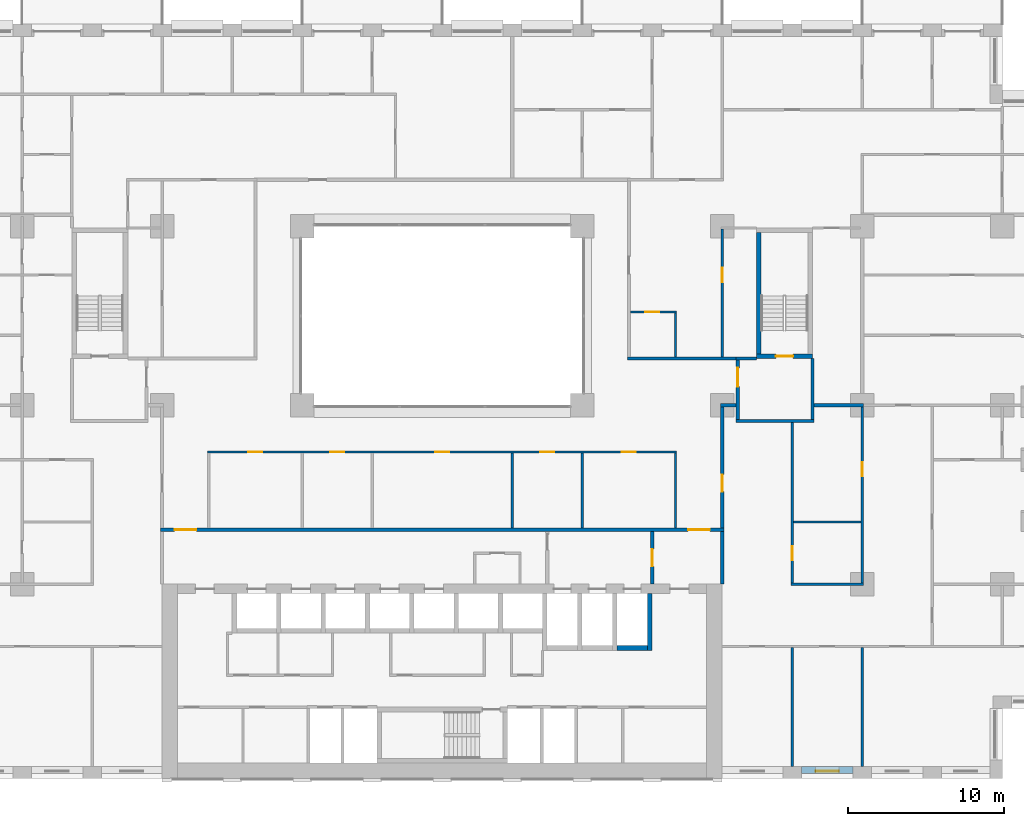
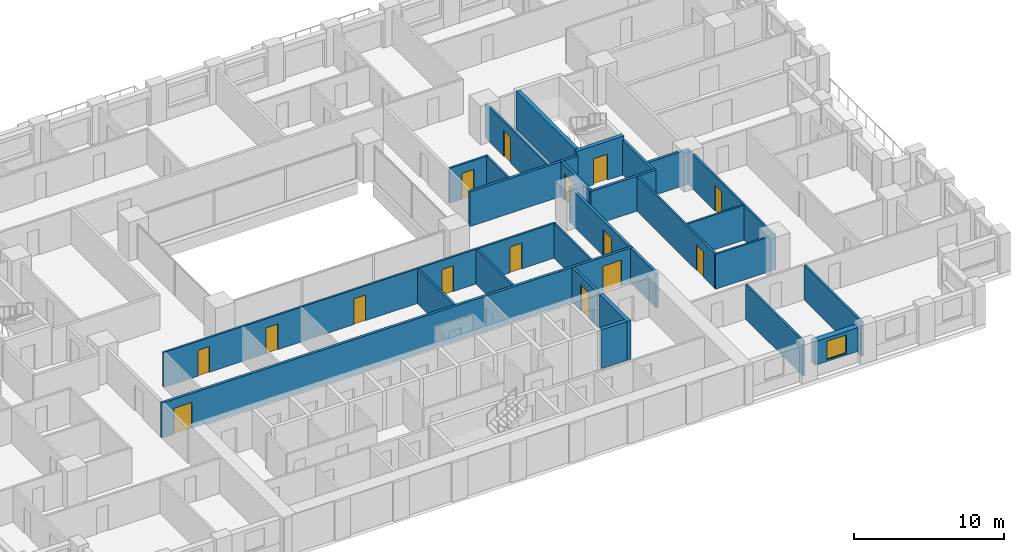
# One storey, part 12 of 20: 29 walls, 15 doors, 1 window, 16 openings.
"""IFC4 building model written with IfcOpenShell, lengths in metres."""

from ifc_helpers import new_model, si_unit, direction, frame, frame_2d, origin, place, context, subcontext, project, spatial, rectangle, extrude, material, layer, layer_set, type_object, element, fill, save


model = new_model("IFC4")

# Units and contexts
model_context = context("Model", 3, precision=1e-05, world=origin(), true_north=direction((0.0, 1.0)))
body_context = subcontext(model_context, "Body", "Model", "MODEL_VIEW")
ifc_project = project(units=[si_unit("LENGTHUNIT", "METRE"), si_unit("AREAUNIT", "SQUARE_METRE"), si_unit("VOLUMEUNIT", "CUBIC_METRE"), si_unit("PLANEANGLEUNIT", "RADIAN"), si_unit("MASSUNIT", "GRAM", prefix="KILO")], contexts=[model_context])

# Site, building, storey
site_placement = place(None, origin())
site = spatial("IfcSite", under=ifc_project, at=site_placement, CompositionType="ELEMENT")
building_placement = place(site_placement, origin())
building = spatial("IfcBuilding", under=site, at=building_placement, Name="Brigalow Station Residences", CompositionType="ELEMENT")
storey_placement = place(building_placement, frame((0.0, 0.0, 44.699951171875)))
storey = spatial("IfcBuildingStorey", under=building, at=storey_placement, Name="L12", CompositionType="ELEMENT", Elevation=44.699951171875)

# Wall, opening, window
ifc_material_1 = material(Name="Clay brick masonry", Category="masonry")
ifc_layer_1 = layer(ifc_material_1, 0.449951171875)
ifc_layer_set_1 = layer_set([ifc_layer_1], Name="BRICK INFILL WALL 450")
wall_type_1 = type_object("IfcWallType", Name="BRICK INFILL WALL 450", PredefinedType="SOLIDWALL", material=ifc_layer_set_1)
wall_1_placement = place(storey_placement, frame((59.10009765625, 0.574951171875, 0.900146484375), z_axis=(0.0, 0.0, 1.0), x_axis=(1.0, 0.0, 0.0)))
wall_1 = element("IfcWall", 1, at=wall_1_placement, inside=storey, type_object=wall_type_1, Name="L12/ewall/W-L12-6", PredefinedType="SOLIDWALL", context=body_context, shape_type="SweptSolid", body=[
    extrude(rectangle(XDim=3.2998046875, YDim=0.449951171875, at=frame_2d((1.64990234375, 0.0))), origin(), (0.0, 0.0, 1.0), 1.929931640625),
])
opening_1_placement = place(wall_1_placement, frame((0.89990234375, 0.0, 0.14990234375)))
opening_1 = element("IfcOpeningElement", 2, at=opening_1_placement, cuts=wall_1, Name="Opening WT-1", PredefinedType="OPENING", context=body_context, shape_type="SweptSolid", body=[
    extrude(rectangle(XDim=1.5, YDim=1.5, at=frame_2d((0.75, 0.75))), frame((0.0, 0.23486328125, 0.0), z_axis=(0.0, -1.0, 0.0), x_axis=(1.0, 0.0, 0.0)), (0.0, 0.0, 1.0), 0.469970703125),
])
ifc_material_2 = material(Name="Anodised aluminium frame with double glazing", Category="aluminium")
window_type = type_object("IfcWindowType", Name="WINDOW 1500x1500", PartitioningType="SINGLE_PANEL", PredefinedType="WINDOW", material=ifc_material_2)
window_placement = place(opening_1_placement, origin())
window = element("IfcWindow", 3, at=window_placement, inside=storey, type_object=window_type, Name="L12/window/W-L12-6", OverallHeight=1.5, OverallWidth=1.5, PartitioningType="SINGLE_PANEL", PredefinedType="WINDOW", context=body_context, shape_type="SweptSolid", body=[
    extrude(rectangle(XDim=1.5, YDim=1.5, at=frame_2d((0.75, 0.75))), frame((0.0, -0.06494140625, 0.0), z_axis=(0.0, -1.0, 0.0), x_axis=(1.0, 0.0, 0.0)), (0.0, 0.0, 1.0), 0.06005859375),
])
fill(opening_1, window)

# Walls
ifc_material_3 = material(Name="Concrete C80", Category="concrete")
ifc_layer_2 = layer(ifc_material_3, 0.300048828125)
ifc_layer_set_2 = layer_set([ifc_layer_2], Name="CORE SHEAR WALL 300 C80")
wall_type_2 = type_object("IfcWallType", Name="CORE SHEAR WALL 300 C80", PredefinedType="SHEAR", material=ifc_layer_set_2)
wall_2_placement = place(storey_placement, frame((47.25, 8.39990234375, 0.0), z_axis=(0.0, 0.0, 1.0), x_axis=(1.0, 0.0, 0.0)))
element("IfcWall", 4, at=wall_2_placement, inside=storey, type_object=wall_type_2, Name="CORE WALL SH-SL1-S L12", PredefinedType="SHEAR", context=body_context, shape_type="SweptSolid", body=[
    extrude(rectangle(XDim=1.949951171875, YDim=0.300048828125, at=frame_2d((0.97509765625, 0.0))), origin(), (0.0, 0.0, 1.0), 3.150146484375),
])
wall_3_placement = place(storey_placement, frame((49.35009765625, 8.25, 0.0), z_axis=(0.0, 0.0, 1.0), x_axis=(0.0, 1.0, 0.0)))
element("IfcWall", 5, at=wall_3_placement, inside=storey, type_object=wall_type_2, Name="CORE WALL SH-SL1-E L12", PredefinedType="SHEAR", context=body_context, shape_type="SweptSolid", body=[
    extrude(rectangle(XDim=3.64990234375, YDim=0.300048828125, at=frame_2d((1.824951171875, 0.0))), origin(), (0.0, 0.0, 1.0), 3.150146484375),
])

# Wall, opening, door
wall_4_placement = place(storey_placement, frame((56.199951171875, 27.14990234375, 0.0), z_axis=(0.0, 0.0, 1.0), x_axis=(1.0, 0.0, 0.0)))
wall_4 = element("IfcWall", 6, at=wall_4_placement, inside=storey, type_object=wall_type_2, Name="CORE WALL ST-S3-S L12", PredefinedType="SHEAR", context=body_context, shape_type="SweptSolid", body=[
    extrude(rectangle(XDim=3.60009765625, YDim=0.300048828125, at=frame_2d((1.800048828125, 0.0))), origin(), (0.0, 0.0, 1.0), 3.150146484375),
])
opening_2_placement = place(wall_4_placement, frame((1.25, 0.0, 0.0)))
opening_2 = element("IfcOpeningElement", 7, at=opening_2_placement, cuts=wall_4, Name="Opening D-5018", PredefinedType="OPENING", context=body_context, shape_type="SweptSolid", body=[
    extrude(rectangle(XDim=1.10009765625, YDim=2.10009765625, at=frame_2d((0.550048828125, 1.050048828125))), frame((0.0, 0.16015625, 0.0), z_axis=(0.0, -1.0, 0.0), x_axis=(1.0, 0.0, 0.0)), (0.0, 0.0, 1.0), 0.320068359375),
])
ifc_material_4 = material(Name="Steel fire door leaf in steel frame", Category="steel")
door_type_1 = type_object("IfcDoorType", Name="STAIR DOOR 1100 x 2100 FD60S", OperationType="SINGLE_SWING_LEFT", PredefinedType="DOOR", material=ifc_material_4)
door_1_placement = place(opening_2_placement, origin())
door_1 = element("IfcDoor", 8, at=door_1_placement, inside=storey, type_object=door_type_1, Name="D-5018", OperationType="SINGLE_SWING_LEFT", OverallHeight=2.10009765625, OverallWidth=1.10009765625, PredefinedType="DOOR", context=body_context, shape_type="SweptSolid", body=[
    extrude(rectangle(XDim=1.10009765625, YDim=2.10009765625, at=frame_2d((0.550048828125, 1.050048828125))), frame((0.0, 0.02490234375, 0.0), z_axis=(0.0, -1.0, 0.0), x_axis=(1.0, 0.0, 0.0)), (0.0, 0.0, 1.0), 0.050048828125),
])
fill(opening_2, door_1)

# Walls
wall_5_placement = place(storey_placement, frame((56.35009765625, 27.300048828125, 0.0), z_axis=(0.0, 0.0, 1.0), x_axis=(0.0, 1.0, 0.0)))
element("IfcWall", 9, at=wall_5_placement, inside=storey, type_object=wall_type_2, Name="CORE WALL ST-S3-W L12", PredefinedType="SHEAR", context=body_context, shape_type="SweptSolid", body=[
    extrude(rectangle(XDim=7.800048828125, YDim=0.300048828125, at=frame_2d((3.89990234375, 0.0))), origin(), (0.0, 0.0, 1.0), 3.150146484375),
])
ifc_material_5 = material(Name="Concrete blockwork", Category="masonry")
ifc_layer_3 = layer(ifc_material_5, 0.199951171875)
ifc_layer_set_3 = layer_set([ifc_layer_3], Name="FIRE RATED CORE PARTITION 200")
wall_type_3 = type_object("IfcWallType", Name="FIRE RATED CORE PARTITION 200", PredefinedType="PARTITIONING", material=ifc_layer_set_3)
wall_6_placement = place(storey_placement, frame((54.89990234375, 23.0, 0.0), z_axis=(0.0, 0.0, 1.0), x_axis=(1.0, 0.0, 0.0)))
element("IfcWall", 10, at=wall_6_placement, inside=storey, type_object=wall_type_3, Name="PW-5024", PredefinedType="PARTITIONING", context=body_context, shape_type="SweptSolid", body=[
    extrude(rectangle(XDim=5.0, YDim=0.199951171875, at=frame_2d((2.5, 0.0))), origin(), (0.0, 0.0, 1.0), 2.830078125),
])
wall_7_placement = place(storey_placement, frame((54.89990234375, 27.0, 0.0), z_axis=(0.0, 0.0, 1.0), x_axis=(1.0, 0.0, 0.0)))
element("IfcWall", 11, at=wall_7_placement, inside=storey, type_object=wall_type_3, Name="PW-5026", PredefinedType="PARTITIONING", context=body_context, shape_type="SweptSolid", body=[
    extrude(rectangle(XDim=1.300048828125, YDim=0.199951171875, at=frame_2d((0.64990234375, 0.0))), origin(), (0.0, 0.0, 1.0), 2.830078125),
])

# Wall, opening, door
wall_8_placement = place(storey_placement, frame((49.5, 12.5, 0.0), z_axis=(0.0, 0.0, 1.0), x_axis=(0.0, 1.0, 0.0)))
wall_8 = element("IfcWall", 12, at=wall_8_placement, inside=storey, type_object=wall_type_3, Name="PW-5015", PredefinedType="PARTITIONING", context=body_context, shape_type="SweptSolid", body=[
    extrude(rectangle(XDim=3.39990234375, YDim=0.199951171875, at=frame_2d((1.699951171875, 0.0))), origin(), (0.0, 0.0, 1.0), 2.830078125),
])
opening_3_placement = place(wall_8_placement, frame((1.14990234375, 0.0, 0.0)))
opening_3 = element("IfcOpeningElement", 13, at=opening_3_placement, cuts=wall_8, Name="Opening D-5014", PredefinedType="OPENING", context=body_context, shape_type="SweptSolid", body=[
    extrude(rectangle(XDim=1.10009765625, YDim=2.10009765625, at=frame_2d((0.550048828125, 1.050048828125))), frame((0.0, 0.10986328125, 0.0), z_axis=(0.0, -1.0, 0.0), x_axis=(1.0, 0.0, 0.0)), (0.0, 0.0, 1.0), 0.219970703125),
])
ifc_material_6 = material(Name="Steel fire door leaf in steel frame", Category="steel")
door_type_2 = type_object("IfcDoorType", Name="LOBBY DOOR 1100 x 2100 FD60S", OperationType="SINGLE_SWING_LEFT", PredefinedType="DOOR", material=ifc_material_6)
door_2_placement = place(opening_3_placement, origin())
door_2 = element("IfcDoor", 14, at=door_2_placement, inside=storey, type_object=door_type_2, Name="D-5014", OperationType="SINGLE_SWING_LEFT", OverallHeight=2.10009765625, OverallWidth=1.10009765625, PredefinedType="DOOR", context=body_context, shape_type="SweptSolid", body=[
    extrude(rectangle(XDim=1.10009765625, YDim=2.10009765625, at=frame_2d((0.550048828125, 1.050048828125))), frame((0.0, 0.02490234375, 0.0), z_axis=(0.0, -1.0, 0.0), x_axis=(1.0, 0.0, 0.0)), (0.0, 0.0, 1.0), 0.050048828125),
])
fill(opening_3, door_2)

# Wall
wall_9_placement = place(storey_placement, frame((54.0, 12.5, 0.0), z_axis=(0.0, 0.0, 1.0), x_axis=(0.0, 1.0, 0.0)))
element("IfcWall", 15, at=wall_9_placement, inside=storey, type_object=wall_type_3, Name="PW-5016", PredefinedType="PARTITIONING", context=body_context, shape_type="SweptSolid", body=[
    extrude(rectangle(XDim=3.39990234375, YDim=0.199951171875, at=frame_2d((1.699951171875, 0.0))), origin(), (0.0, 0.0, 1.0), 2.830078125),
])

# Wall, opening, door
wall_10_placement = place(storey_placement, frame((55.0, 23.10009765625, 0.0), z_axis=(0.0, 0.0, 1.0), x_axis=(0.0, 1.0, 0.0)))
wall_10 = element("IfcWall", 16, at=wall_10_placement, inside=storey, type_object=wall_type_3, Name="PW-5036", PredefinedType="PARTITIONING", context=body_context, shape_type="SweptSolid", body=[
    extrude(rectangle(XDim=3.7998046875, YDim=0.199951171875, at=frame_2d((1.89990234375, 0.0))), origin(), (0.0, 0.0, 1.0), 2.830078125),
])
opening_4_placement = place(wall_10_placement, frame((2.10009765625, 0.0, 0.0)))
opening_4 = element("IfcOpeningElement", 17, at=opening_4_placement, cuts=wall_10, Name="Opening D-5019", PredefinedType="OPENING", context=body_context, shape_type="SweptSolid", body=[
    extrude(rectangle(XDim=1.199951171875, YDim=2.10009765625, at=frame_2d((0.60009765625, 1.050048828125))), frame((0.0, 0.10986328125, 0.0), z_axis=(0.0, -1.0, 0.0), x_axis=(1.0, 0.0, 0.0)), (0.0, 0.0, 1.0), 0.219970703125),
])
ifc_material_7 = material(Name="Steel fire door leaf in steel frame", Category="steel")
door_type_3 = type_object("IfcDoorType", Name="STAIR LOBBY DOOR 1200 x 2100 FD60S", OperationType="SINGLE_SWING_LEFT", PredefinedType="DOOR", material=ifc_material_7)
door_3_placement = place(opening_4_placement, frame((1.199951171875, 0.0, 0.0), z_axis=(0.0, 0.0, 1.0), x_axis=(-1.0, 0.0, 0.0)))
door_3 = element("IfcDoor", 18, at=door_3_placement, inside=storey, type_object=door_type_3, Name="D-5019", OperationType="SINGLE_SWING_LEFT", OverallHeight=2.10009765625, OverallWidth=1.199951171875, PredefinedType="DOOR", context=body_context, shape_type="SweptSolid", body=[
    extrude(rectangle(XDim=1.199951171875, YDim=2.10009765625, at=frame_2d((0.60009765625, 1.050048828125))), frame((0.0, 0.02490234375, 0.0), z_axis=(0.0, -1.0, 0.0), x_axis=(1.0, 0.0, 0.0)), (0.0, 0.0, 1.0), 0.050048828125),
])
fill(opening_4, door_3)

# Wall
wall_11_placement = place(storey_placement, frame((59.800048828125, 23.10009765625, 0.0), z_axis=(0.0, 0.0, 1.0), x_axis=(0.0, 1.0, 0.0)))
element("IfcWall", 19, at=wall_11_placement, inside=storey, type_object=wall_type_3, Name="PW-5037", PredefinedType="PARTITIONING", context=body_context, shape_type="SweptSolid", body=[
    extrude(rectangle(XDim=3.89990234375, YDim=0.199951171875, at=frame_2d((1.949951171875, 0.0))), origin(), (0.0, 0.0, 1.0), 2.830078125),
])

# Wall, openings, doors
ifc_material_8 = material(Name="Plasterboard on steel stud partition", Category="steel")
ifc_layer_4 = layer(ifc_material_8, 0.14990234375)
ifc_layer_set_4 = layer_set([ifc_layer_4], Name="FLAT PARTITION 150")
wall_type_4 = type_object("IfcWallType", Name="FLAT PARTITION 150", PredefinedType="PARTITIONING", material=ifc_layer_set_4)
wall_12_placement = place(storey_placement, frame((20.925048828125, 21.0, 0.0), z_axis=(0.0, 0.0, 1.0), x_axis=(1.0, 0.0, 0.0)))
wall_12 = element("IfcWall", 20, at=wall_12_placement, inside=storey, type_object=wall_type_4, Name="PW-1C01", PredefinedType="PARTITIONING", context=body_context, shape_type="SweptSolid", body=[
    extrude(rectangle(XDim=30.14990234375, YDim=0.14990234375, at=frame_2d((15.074951171875, 0.0))), origin(), (0.0, 0.0, 1.0), 2.830078125),
])
opening_5_placement = place(wall_12_placement, frame((2.625, 0.0, 0.0)))
opening_5 = element("IfcOpeningElement", 21, at=opening_5_placement, cuts=wall_12, Name="Opening D-1C64", PredefinedType="OPENING", context=body_context, shape_type="SweptSolid", body=[
    extrude(rectangle(XDim=0.89990234375, YDim=2.10009765625, at=frame_2d((0.449951171875, 1.050048828125))), frame((0.0, 0.0849609375, 0.0), z_axis=(0.0, -1.0, 0.0), x_axis=(1.0, 0.0, 0.0)), (0.0, 0.0, 1.0), 0.169921875),
])
opening_6_placement = place(wall_12_placement, frame((7.875, 0.0, 0.0)))
opening_6 = element("IfcOpeningElement", 22, at=opening_6_placement, cuts=wall_12, Name="Opening D-1C65", PredefinedType="OPENING", context=body_context, shape_type="SweptSolid", body=[
    extrude(rectangle(XDim=0.89990234375, YDim=2.10009765625, at=frame_2d((0.449951171875, 1.050048828125))), frame((0.0, 0.0849609375, 0.0), z_axis=(0.0, -1.0, 0.0), x_axis=(1.0, 0.0, 0.0)), (0.0, 0.0, 1.0), 0.169921875),
])
opening_7_placement = place(wall_12_placement, frame((14.625, 0.0, 0.0)))
opening_7 = element("IfcOpeningElement", 23, at=opening_7_placement, cuts=wall_12, Name="Opening D-1C66", PredefinedType="OPENING", context=body_context, shape_type="SweptSolid", body=[
    extrude(rectangle(XDim=0.89990234375, YDim=2.10009765625, at=frame_2d((0.449951171875, 1.050048828125))), frame((0.0, 0.0849609375, 0.0), z_axis=(0.0, -1.0, 0.0), x_axis=(1.0, 0.0, 0.0)), (0.0, 0.0, 1.0), 0.169921875),
])
opening_8_placement = place(wall_12_placement, frame((21.375, 0.0, 0.0)))
opening_8 = element("IfcOpeningElement", 24, at=opening_8_placement, cuts=wall_12, Name="Opening D-1C67", PredefinedType="OPENING", context=body_context, shape_type="SweptSolid", body=[
    extrude(rectangle(XDim=0.89990234375, YDim=2.10009765625, at=frame_2d((0.449951171875, 1.050048828125))), frame((0.0, 0.0849609375, 0.0), z_axis=(0.0, -1.0, 0.0), x_axis=(1.0, 0.0, 0.0)), (0.0, 0.0, 1.0), 0.169921875),
])
opening_9_placement = place(wall_12_placement, frame((26.625, 0.0, 0.0)))
opening_9 = element("IfcOpeningElement", 25, at=opening_9_placement, cuts=wall_12, Name="Opening D-1C68", PredefinedType="OPENING", context=body_context, shape_type="SweptSolid", body=[
    extrude(rectangle(XDim=0.89990234375, YDim=2.10009765625, at=frame_2d((0.449951171875, 1.050048828125))), frame((0.0, 0.0849609375, 0.0), z_axis=(0.0, -1.0, 0.0), x_axis=(1.0, 0.0, 0.0)), (0.0, 0.0, 1.0), 0.169921875),
])
ifc_material_9 = material(Name="Solid-core timber door leaf", Category="wood")
door_type_4 = type_object("IfcDoorType", Name="INTERNAL DOOR 900 x 2100", OperationType="SINGLE_SWING_LEFT", PredefinedType="DOOR", material=ifc_material_9)
door_4_placement = place(opening_5_placement, frame((0.89990234375, 0.0, 0.0), z_axis=(0.0, 0.0, 1.0), x_axis=(-1.0, 0.0, 0.0)))
door_4 = element("IfcDoor", 26, at=door_4_placement, inside=storey, type_object=door_type_4, Name="D-1C64", OperationType="SINGLE_SWING_LEFT", OverallHeight=2.10009765625, OverallWidth=0.89990234375, PredefinedType="DOOR", context=body_context, shape_type="SweptSolid", body=[
    extrude(rectangle(XDim=0.89990234375, YDim=2.10009765625, at=frame_2d((0.449951171875, 1.050048828125))), frame((0.0, 0.02490234375, 0.0), z_axis=(0.0, -1.0, 0.0), x_axis=(1.0, 0.0, 0.0)), (0.0, 0.0, 1.0), 0.050048828125),
])
fill(opening_5, door_4)
door_5_placement = place(opening_6_placement, frame((0.89990234375, 0.0, 0.0), z_axis=(0.0, 0.0, 1.0), x_axis=(-1.0, 0.0, 0.0)))
door_5 = element("IfcDoor", 27, at=door_5_placement, inside=storey, type_object=door_type_4, Name="D-1C65", OperationType="SINGLE_SWING_RIGHT", OverallHeight=2.10009765625, OverallWidth=0.89990234375, PredefinedType="DOOR", context=body_context, shape_type="SweptSolid", body=[
    extrude(rectangle(XDim=0.89990234375, YDim=2.10009765625, at=frame_2d((0.449951171875, 1.050048828125))), frame((0.0, 0.02490234375, 0.0), z_axis=(0.0, -1.0, 0.0), x_axis=(1.0, 0.0, 0.0)), (0.0, 0.0, 1.0), 0.050048828125),
])
fill(opening_6, door_5)
door_6_placement = place(opening_7_placement, frame((0.89990234375, 0.0, 0.0), z_axis=(0.0, 0.0, 1.0), x_axis=(-1.0, 0.0, 0.0)))
door_6 = element("IfcDoor", 28, at=door_6_placement, inside=storey, type_object=door_type_4, Name="D-1C66", OperationType="SINGLE_SWING_LEFT", OverallHeight=2.10009765625, OverallWidth=0.89990234375, PredefinedType="DOOR", context=body_context, shape_type="SweptSolid", body=[
    extrude(rectangle(XDim=0.89990234375, YDim=2.10009765625, at=frame_2d((0.449951171875, 1.050048828125))), frame((0.0, 0.02490234375, 0.0), z_axis=(0.0, -1.0, 0.0), x_axis=(1.0, 0.0, 0.0)), (0.0, 0.0, 1.0), 0.050048828125),
])
fill(opening_7, door_6)
door_7_placement = place(opening_8_placement, frame((0.89990234375, 0.0, 0.0), z_axis=(0.0, 0.0, 1.0), x_axis=(-1.0, 0.0, 0.0)))
door_7 = element("IfcDoor", 29, at=door_7_placement, inside=storey, type_object=door_type_4, Name="D-1C67", OperationType="SINGLE_SWING_LEFT", OverallHeight=2.10009765625, OverallWidth=0.89990234375, PredefinedType="DOOR", context=body_context, shape_type="SweptSolid", body=[
    extrude(rectangle(XDim=0.89990234375, YDim=2.10009765625, at=frame_2d((0.449951171875, 1.050048828125))), frame((0.0, 0.02490234375, 0.0), z_axis=(0.0, -1.0, 0.0), x_axis=(1.0, 0.0, 0.0)), (0.0, 0.0, 1.0), 0.050048828125),
])
fill(opening_8, door_7)
door_8_placement = place(opening_9_placement, frame((0.89990234375, 0.0, 0.0), z_axis=(0.0, 0.0, 1.0), x_axis=(-1.0, 0.0, 0.0)))
door_8 = element("IfcDoor", 30, at=door_8_placement, inside=storey, type_object=door_type_4, Name="D-1C68", OperationType="SINGLE_SWING_LEFT", OverallHeight=2.10009765625, OverallWidth=0.89990234375, PredefinedType="DOOR", context=body_context, shape_type="SweptSolid", body=[
    extrude(rectangle(XDim=0.89990234375, YDim=2.10009765625, at=frame_2d((0.449951171875, 1.050048828125))), frame((0.0, 0.02490234375, 0.0), z_axis=(0.0, -1.0, 0.0), x_axis=(1.0, 0.0, 0.0)), (0.0, 0.0, 1.0), 0.050048828125),
])
fill(opening_9, door_8)

# Walls
wall_13_placement = place(storey_placement, frame((58.425048828125, 12.5, 0.0), z_axis=(0.0, 0.0, 1.0), x_axis=(1.0, 0.0, 0.0)))
element("IfcWall", 31, at=wall_13_placement, inside=storey, type_object=wall_type_4, Name="PW-1C15", PredefinedType="PARTITIONING", context=body_context, shape_type="SweptSolid", body=[
    extrude(rectangle(XDim=4.64990234375, YDim=0.14990234375, at=frame_2d((2.324951171875, 0.0))), origin(), (0.0, 0.0, 1.0), 2.830078125),
])
wall_14_placement = place(storey_placement, frame((58.574951171875, 16.5, 0.0), z_axis=(0.0, 0.0, 1.0), x_axis=(1.0, 0.0, 0.0)))
element("IfcWall", 32, at=wall_14_placement, inside=storey, type_object=wall_type_4, Name="PW-1C22", PredefinedType="PARTITIONING", context=body_context, shape_type="SweptSolid", body=[
    extrude(rectangle(XDim=4.35009765625, YDim=0.14990234375, at=frame_2d((2.175048828125, 0.0))), origin(), (0.0, 0.0, 1.0), 2.830078125),
])

# Wall, opening, door
wall_15_placement = place(storey_placement, frame((48.10009765625, 30.0, 0.0), z_axis=(0.0, 0.0, 1.0), x_axis=(1.0, 0.0, 0.0)))
wall_15 = element("IfcWall", 33, at=wall_15_placement, inside=storey, type_object=wall_type_4, Name="PW-1C34", PredefinedType="PARTITIONING", context=body_context, shape_type="SweptSolid", body=[
    extrude(rectangle(XDim=2.974853515625, YDim=0.14990234375, at=frame_2d((1.4873046875, 0.0))), origin(), (0.0, 0.0, 1.0), 2.830078125),
])
opening_10_placement = place(wall_15_placement, frame((0.949951171875, 0.0, 0.0)))
opening_10 = element("IfcOpeningElement", 34, at=opening_10_placement, cuts=wall_15, Name="Opening D-1C43", PredefinedType="OPENING", context=body_context, shape_type="SweptSolid", body=[
    extrude(rectangle(XDim=0.89990234375, YDim=2.10009765625, at=frame_2d((0.449951171875, 1.050048828125))), frame((0.0, 0.0849609375, 0.0), z_axis=(0.0, -1.0, 0.0), x_axis=(1.0, 0.0, 0.0)), (0.0, 0.0, 1.0), 0.169921875),
])
door_9_placement = place(opening_10_placement, frame((0.89990234375, 0.0, 0.0), z_axis=(0.0, 0.0, 1.0), x_axis=(-1.0, 0.0, 0.0)))
door_9 = element("IfcDoor", 35, at=door_9_placement, inside=storey, type_object=door_type_4, Name="D-1C43", OperationType="SINGLE_SWING_RIGHT", OverallHeight=2.10009765625, OverallWidth=0.89990234375, PredefinedType="DOOR", context=body_context, shape_type="SweptSolid", body=[
    extrude(rectangle(XDim=0.89990234375, YDim=2.10009765625, at=frame_2d((0.449951171875, 1.050048828125))), frame((0.0, 0.02490234375, 0.0), z_axis=(0.0, -1.0, 0.0), x_axis=(1.0, 0.0, 0.0)), (0.0, 0.0, 1.0), 0.050048828125),
])
fill(opening_10, door_9)

wall_16_placement = place(storey_placement, frame((54.0, 27.10009765625, 0.0), z_axis=(0.0, 0.0, 1.0), x_axis=(0.0, 1.0, 0.0)))
wall_16 = element("IfcWall", 36, at=wall_16_placement, inside=storey, type_object=wall_type_4, Name="PW-1C41", PredefinedType="PARTITIONING", context=body_context, shape_type="SweptSolid", body=[
    extrude(rectangle(XDim=8.224853515625, YDim=0.14990234375, at=frame_2d((4.1123046875, 0.0))), origin(), (0.0, 0.0, 1.0), 2.830078125),
])
opening_11_placement = place(wall_16_placement, frame((4.824951171875, 0.0, 0.0)))
opening_11 = element("IfcOpeningElement", 37, at=opening_11_placement, cuts=wall_16, Name="Opening D-1C45", PredefinedType="OPENING", context=body_context, shape_type="SweptSolid", body=[
    extrude(rectangle(XDim=0.89990234375, YDim=2.10009765625, at=frame_2d((0.449951171875, 1.050048828125))), frame((0.0, 0.0849609375, 0.0), z_axis=(0.0, -1.0, 0.0), x_axis=(1.0, 0.0, 0.0)), (0.0, 0.0, 1.0), 0.169921875),
])
door_10_placement = place(opening_11_placement, frame((0.89990234375, 0.0, 0.0), z_axis=(0.0, 0.0, 1.0), x_axis=(-1.0, 0.0, 0.0)))
door_10 = element("IfcDoor", 38, at=door_10_placement, inside=storey, type_object=door_type_4, Name="D-1C45", OperationType="SINGLE_SWING_LEFT", OverallHeight=2.10009765625, OverallWidth=0.89990234375, PredefinedType="DOOR", context=body_context, shape_type="SweptSolid", body=[
    extrude(rectangle(XDim=0.89990234375, YDim=2.10009765625, at=frame_2d((0.449951171875, 1.050048828125))), frame((0.0, 0.02490234375, 0.0), z_axis=(0.0, -1.0, 0.0), x_axis=(1.0, 0.0, 0.0)), (0.0, 0.0, 1.0), 0.050048828125),
])
fill(opening_11, door_10)

# Walls
wall_17_placement = place(storey_placement, frame((51.0, 16.10009765625, 0.0), z_axis=(0.0, 0.0, 1.0), x_axis=(0.0, 1.0, 0.0)))
element("IfcWall", 39, at=wall_17_placement, inside=storey, type_object=wall_type_4, Name="PW-1C45", PredefinedType="PARTITIONING", context=body_context, shape_type="SweptSolid", body=[
    extrude(rectangle(XDim=4.824951171875, YDim=0.14990234375, at=frame_2d((2.41259765625, 0.0))), origin(), (0.0, 0.0, 1.0), 2.830078125),
])
wall_18_placement = place(storey_placement, frame((51.0, 27.10009765625, 0.0), z_axis=(0.0, 0.0, 1.0), x_axis=(0.0, 1.0, 0.0)))
element("IfcWall", 40, at=wall_18_placement, inside=storey, type_object=wall_type_4, Name="PW-1C46", PredefinedType="PARTITIONING", context=body_context, shape_type="SweptSolid", body=[
    extrude(rectangle(XDim=2.824951171875, YDim=0.14990234375, at=frame_2d((1.41259765625, 0.0))), origin(), (0.0, 0.0, 1.0), 2.830078125),
])
wall_19_placement = place(storey_placement, frame((40.5, 16.10009765625, 0.0), z_axis=(0.0, 0.0, 1.0), x_axis=(0.0, 1.0, 0.0)))
element("IfcWall", 41, at=wall_19_placement, inside=storey, type_object=wall_type_4, Name="PW-1C67", PredefinedType="PARTITIONING", context=body_context, shape_type="SweptSolid", body=[
    extrude(rectangle(XDim=4.824951171875, YDim=0.14990234375, at=frame_2d((2.41259765625, 0.0))), origin(), (0.0, 0.0, 1.0), 2.830078125),
])
wall_20_placement = place(storey_placement, frame((63.0, 0.800048828125, 0.0), z_axis=(0.0, 0.0, 1.0), x_axis=(0.0, 1.0, 0.0)))
element("IfcWall", 42, at=wall_20_placement, inside=storey, type_object=wall_type_4, Name="PW-1C69", PredefinedType="PARTITIONING", context=body_context, shape_type="SweptSolid", body=[
    extrude(rectangle(XDim=7.625, YDim=0.14990234375, at=frame_2d((3.8125, 0.0))), origin(), (0.0, 0.0, 1.0), 2.830078125),
])

# Wall, opening, door
wall_21_placement = place(storey_placement, frame((63.0, 12.574951171875, 0.0), z_axis=(0.0, 0.0, 1.0), x_axis=(0.0, 1.0, 0.0)))
wall_21 = element("IfcWall", 43, at=wall_21_placement, inside=storey, type_object=wall_type_4, Name="PW-1C70", PredefinedType="PARTITIONING", context=body_context, shape_type="SweptSolid", body=[
    extrude(rectangle(XDim=11.35009765625, YDim=0.14990234375, at=frame_2d((5.675048828125, 0.0))), origin(), (0.0, 0.0, 1.0), 2.830078125),
])
opening_12_placement = place(wall_21_placement, frame((6.85009765625, 0.0, 0.0)))
opening_12 = element("IfcOpeningElement", 44, at=opening_12_placement, cuts=wall_21, Name="Opening D-1C61", PredefinedType="OPENING", context=body_context, shape_type="SweptSolid", body=[
    extrude(rectangle(XDim=0.89990234375, YDim=2.10009765625, at=frame_2d((0.449951171875, 1.050048828125))), frame((0.0, 0.0849609375, 0.0), z_axis=(0.0, -1.0, 0.0), x_axis=(1.0, 0.0, 0.0)), (0.0, 0.0, 1.0), 0.169921875),
])
door_11_placement = place(opening_12_placement, origin())
door_11 = element("IfcDoor", 45, at=door_11_placement, inside=storey, type_object=door_type_4, Name="D-1C61", OperationType="SINGLE_SWING_LEFT", OverallHeight=2.10009765625, OverallWidth=0.89990234375, PredefinedType="DOOR", context=body_context, shape_type="SweptSolid", body=[
    extrude(rectangle(XDim=0.89990234375, YDim=2.10009765625, at=frame_2d((0.449951171875, 1.050048828125))), frame((0.0, 0.02490234375, 0.0), z_axis=(0.0, -1.0, 0.0), x_axis=(1.0, 0.0, 0.0)), (0.0, 0.0, 1.0), 0.050048828125),
])
fill(opening_12, door_11)

# Walls
wall_22_placement = place(storey_placement, frame((45.0, 16.10009765625, 0.0), z_axis=(0.0, 0.0, 1.0), x_axis=(0.0, 1.0, 0.0)))
element("IfcWall", 46, at=wall_22_placement, inside=storey, type_object=wall_type_4, Name="PW-1C81", PredefinedType="PARTITIONING", context=body_context, shape_type="SweptSolid", body=[
    extrude(rectangle(XDim=4.824951171875, YDim=0.14990234375, at=frame_2d((2.41259765625, 0.0))), origin(), (0.0, 0.0, 1.0), 2.830078125),
])
wall_23_placement = place(storey_placement, frame((58.5, 0.800048828125, 0.0), z_axis=(0.0, 0.0, 1.0), x_axis=(0.0, 1.0, 0.0)))
element("IfcWall", 47, at=wall_23_placement, inside=storey, type_object=wall_type_4, Name="PW-1C83", PredefinedType="PARTITIONING", context=body_context, shape_type="SweptSolid", body=[
    extrude(rectangle(XDim=7.625, YDim=0.14990234375, at=frame_2d((3.8125, 0.0))), origin(), (0.0, 0.0, 1.0), 2.830078125),
])

# Wall, opening, door
wall_24_placement = place(storey_placement, frame((58.5, 12.574951171875, 0.0), z_axis=(0.0, 0.0, 1.0), x_axis=(0.0, 1.0, 0.0)))
wall_24 = element("IfcWall", 48, at=wall_24_placement, inside=storey, type_object=wall_type_4, Name="PW-1C84", PredefinedType="PARTITIONING", context=body_context, shape_type="SweptSolid", body=[
    extrude(rectangle(XDim=10.324951171875, YDim=0.14990234375, at=frame_2d((5.16259765625, 0.0))), origin(), (0.0, 0.0, 1.0), 2.830078125),
])
opening_13_placement = place(wall_24_placement, frame((1.47509765625, 0.0, 0.0)))
opening_13 = element("IfcOpeningElement", 49, at=opening_13_placement, cuts=wall_24, Name="Opening D-1C50", PredefinedType="OPENING", context=body_context, shape_type="SweptSolid", body=[
    extrude(rectangle(XDim=0.89990234375, YDim=2.10009765625, at=frame_2d((0.449951171875, 1.050048828125))), frame((0.0, 0.0849609375, 0.0), z_axis=(0.0, -1.0, 0.0), x_axis=(1.0, 0.0, 0.0)), (0.0, 0.0, 1.0), 0.169921875),
])
door_12_placement = place(opening_13_placement, frame((0.89990234375, 0.0, 0.0), z_axis=(0.0, 0.0, 1.0), x_axis=(-1.0, 0.0, 0.0)))
door_12 = element("IfcDoor", 50, at=door_12_placement, inside=storey, type_object=door_type_4, Name="D-1C50", OperationType="SINGLE_SWING_RIGHT", OverallHeight=2.10009765625, OverallWidth=0.89990234375, PredefinedType="DOOR", context=body_context, shape_type="SweptSolid", body=[
    extrude(rectangle(XDim=0.89990234375, YDim=2.10009765625, at=frame_2d((0.449951171875, 1.050048828125))), frame((0.0, 0.02490234375, 0.0), z_axis=(0.0, -1.0, 0.0), x_axis=(1.0, 0.0, 0.0)), (0.0, 0.0, 1.0), 0.050048828125),
])
fill(opening_13, door_12)

# Walls
ifc_material_10 = material(Name="Plasterboard on steel stud partition", Category="steel")
ifc_layer_5 = layer(ifc_material_10, 0.199951171875)
ifc_layer_set_5 = layer_set([ifc_layer_5], Name="PARTY AND CORRIDOR WALL 200")
wall_type_5 = type_object("IfcWallType", Name="PARTY AND CORRIDOR WALL 200", PredefinedType="PARTITIONING", material=ifc_layer_set_5)
wall_25_placement = place(storey_placement, frame((53.89990234375, 24.0, 0.0), z_axis=(0.0, 0.0, 1.0), x_axis=(1.0, 0.0, 0.0)))
element("IfcWall", 51, at=wall_25_placement, inside=storey, type_object=wall_type_5, Name="PW-1C05", PredefinedType="PARTITIONING", context=body_context, shape_type="SweptSolid", body=[
    extrude(rectangle(XDim=1.0, YDim=0.199951171875, at=frame_2d((0.5, 0.0))), origin(), (0.0, 0.0, 1.0), 2.830078125),
])
wall_26_placement = place(storey_placement, frame((59.89990234375, 24.0, 0.0), z_axis=(0.0, 0.0, 1.0), x_axis=(1.0, 0.0, 0.0)))
element("IfcWall", 52, at=wall_26_placement, inside=storey, type_object=wall_type_5, Name="PW-1C06", PredefinedType="PARTITIONING", context=body_context, shape_type="SweptSolid", body=[
    extrude(rectangle(XDim=3.175048828125, YDim=0.199951171875, at=frame_2d((1.58740234375, 0.0))), origin(), (0.0, 0.0, 1.0), 2.830078125),
])
wall_27_placement = place(storey_placement, frame((47.89990234375, 27.0, 0.0), z_axis=(0.0, 0.0, 1.0), x_axis=(1.0, 0.0, 0.0)))
element("IfcWall", 53, at=wall_27_placement, inside=storey, type_object=wall_type_5, Name="PW-1C08", PredefinedType="PARTITIONING", context=body_context, shape_type="SweptSolid", body=[
    extrude(rectangle(XDim=7.0, YDim=0.199951171875, at=frame_2d((3.5, 0.0))), origin(), (0.0, 0.0, 1.0), 2.830078125),
])

# Wall, openings, doors
wall_28_placement = place(storey_placement, frame((17.89990234375, 16.0, 0.0), z_axis=(0.0, 0.0, 1.0), x_axis=(1.0, 0.0, 0.0)))
wall_28 = element("IfcWall", 54, at=wall_28_placement, inside=storey, type_object=wall_type_5, Name="PW-1C37", PredefinedType="PARTITIONING", context=body_context, shape_type="SweptSolid", body=[
    extrude(rectangle(XDim=36.2001953125, YDim=0.199951171875, at=frame_2d((18.10009765625, 0.0))), origin(), (0.0, 0.0, 1.0), 2.830078125),
])
opening_14_placement = place(wall_28_placement, frame((0.89990234375, 0.0, 0.0)))
opening_14 = element("IfcOpeningElement", 55, at=opening_14_placement, cuts=wall_28, Name="Opening D-1C01", PredefinedType="OPENING", context=body_context, shape_type="SweptSolid", body=[
    extrude(rectangle(XDim=1.39990234375, YDim=2.10009765625, at=frame_2d((0.699951171875, 1.050048828125))), frame((0.0, 0.10986328125, 0.0), z_axis=(0.0, -1.0, 0.0), x_axis=(1.0, 0.0, 0.0)), (0.0, 0.0, 1.0), 0.219970703125),
])
opening_15_placement = place(wall_28_placement, frame((33.89990234375, 0.0, 0.0)))
opening_15 = element("IfcOpeningElement", 56, at=opening_15_placement, cuts=wall_28, Name="Opening D-1C02", PredefinedType="OPENING", context=body_context, shape_type="SweptSolid", body=[
    extrude(rectangle(XDim=1.39990234375, YDim=2.10009765625, at=frame_2d((0.699951171875, 1.050048828125))), frame((0.0, 0.10986328125, 0.0), z_axis=(0.0, -1.0, 0.0), x_axis=(1.0, 0.0, 0.0)), (0.0, 0.0, 1.0), 0.219970703125),
])
ifc_material_11 = material(Name="Solid-core timber door leaf", Category="wood")
door_type_5 = type_object("IfcDoorType", Name="CORRIDOR FIRE DOOR 1400 x 2100 FRL -/60/30", OperationType="DOUBLE_DOOR_SINGLE_SWING", PredefinedType="DOOR", material=ifc_material_11)
door_13_placement = place(opening_14_placement, frame((1.39990234375, 0.0, 0.0), z_axis=(0.0, 0.0, 1.0), x_axis=(-1.0, 0.0, 0.0)))
door_13 = element("IfcDoor", 57, at=door_13_placement, inside=storey, type_object=door_type_5, Name="D-1C01", OperationType="DOUBLE_DOOR_SINGLE_SWING", OverallHeight=2.10009765625, OverallWidth=1.39990234375, PredefinedType="DOOR", context=body_context, shape_type="SweptSolid", body=[
    extrude(rectangle(XDim=1.39990234375, YDim=2.10009765625, at=frame_2d((0.699951171875, 1.050048828125))), frame((0.0, 0.02490234375, 0.0), z_axis=(0.0, -1.0, 0.0), x_axis=(1.0, 0.0, 0.0)), (0.0, 0.0, 1.0), 0.050048828125),
])
fill(opening_14, door_13)
door_14_placement = place(opening_15_placement, frame((1.39990234375, 0.0, 0.0), z_axis=(0.0, 0.0, 1.0), x_axis=(-1.0, 0.0, 0.0)))
door_14 = element("IfcDoor", 58, at=door_14_placement, inside=storey, type_object=door_type_5, Name="D-1C02", OperationType="DOUBLE_DOOR_SINGLE_SWING", OverallHeight=2.10009765625, OverallWidth=1.39990234375, PredefinedType="DOOR", context=body_context, shape_type="SweptSolid", body=[
    extrude(rectangle(XDim=1.39990234375, YDim=2.10009765625, at=frame_2d((0.699951171875, 1.050048828125))), frame((0.0, 0.02490234375, 0.0), z_axis=(0.0, -1.0, 0.0), x_axis=(1.0, 0.0, 0.0)), (0.0, 0.0, 1.0), 0.050048828125),
])
fill(opening_15, door_14)

# Wall, opening, door
wall_29_placement = place(storey_placement, frame((54.0, 16.10009765625, 0.0), z_axis=(0.0, 0.0, 1.0), x_axis=(0.0, 1.0, 0.0)))
wall_29 = element("IfcWall", 59, at=wall_29_placement, inside=storey, type_object=wall_type_5, Name="PW-1C43", PredefinedType="PARTITIONING", context=body_context, shape_type="SweptSolid", body=[
    extrude(rectangle(XDim=7.7998046875, YDim=0.199951171875, at=frame_2d((3.89990234375, 0.0))), origin(), (0.0, 0.0, 1.0), 2.830078125),
])
opening_16_placement = place(wall_29_placement, frame((2.35009765625, 0.0, 0.0)))
opening_16 = element("IfcOpeningElement", 60, at=opening_16_placement, cuts=wall_29, Name="Opening D-1C63", PredefinedType="OPENING", context=body_context, shape_type="SweptSolid", body=[
    extrude(rectangle(XDim=1.10009765625, YDim=2.10009765625, at=frame_2d((0.550048828125, 1.050048828125))), frame((0.0, 0.10986328125, 0.0), z_axis=(0.0, -1.0, 0.0), x_axis=(1.0, 0.0, 0.0)), (0.0, 0.0, 1.0), 0.219970703125),
])
ifc_material_12 = material(Name="Solid-core timber door leaf", Category="wood")
door_type_6 = type_object("IfcDoorType", Name="FLAT ENTRANCE DOOR 1100 x 2100 FRL -/60/30", OperationType="SINGLE_SWING_LEFT", PredefinedType="DOOR", material=ifc_material_12)
door_15_placement = place(opening_16_placement, frame((1.10009765625, 0.0, 0.0), z_axis=(0.0, 0.0, 1.0), x_axis=(-1.0, 0.0, 0.0)))
door_15 = element("IfcDoor", 61, at=door_15_placement, inside=storey, type_object=door_type_6, Name="D-1C63", OperationType="SINGLE_SWING_LEFT", OverallHeight=2.10009765625, OverallWidth=1.10009765625, PredefinedType="DOOR", context=body_context, shape_type="SweptSolid", body=[
    extrude(rectangle(XDim=1.10009765625, YDim=2.10009765625, at=frame_2d((0.550048828125, 1.050048828125))), frame((0.0, 0.02490234375, 0.0), z_axis=(0.0, -1.0, 0.0), x_axis=(1.0, 0.0, 0.0)), (0.0, 0.0, 1.0), 0.050048828125),
])
fill(opening_16, door_15)

save(model, "model.ifc")
